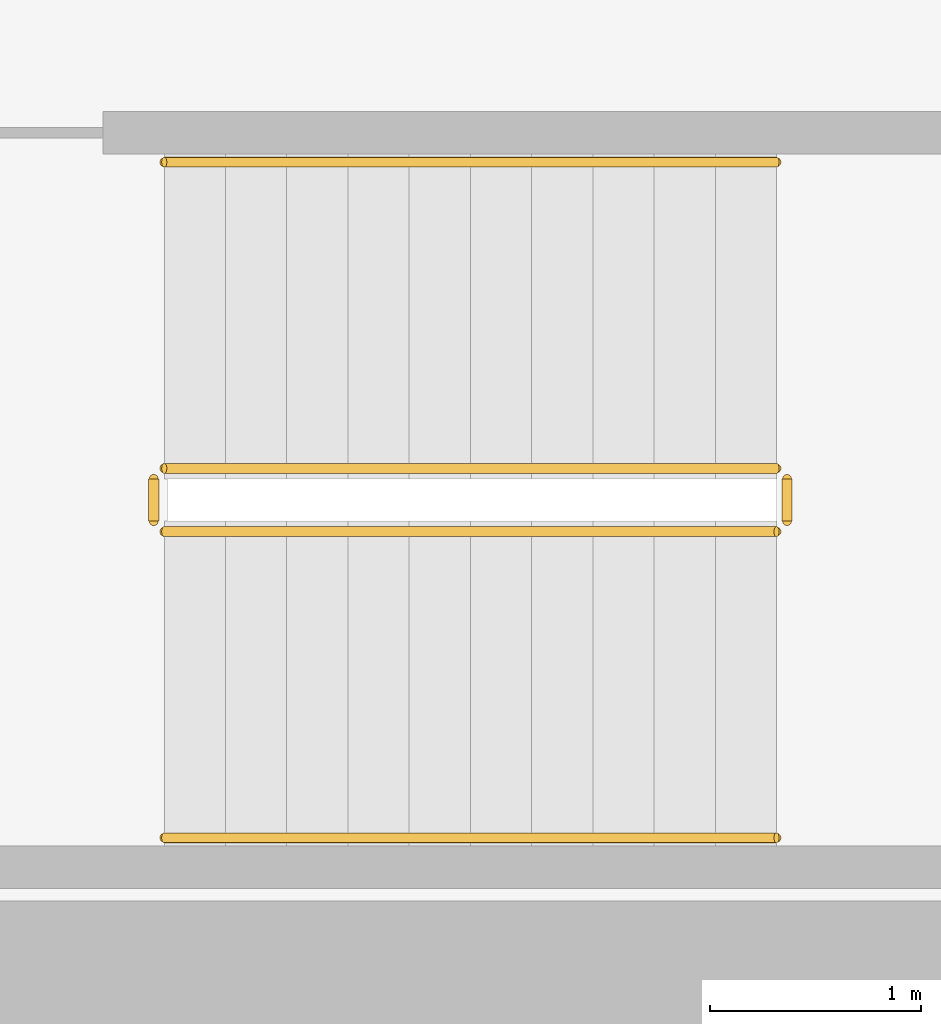
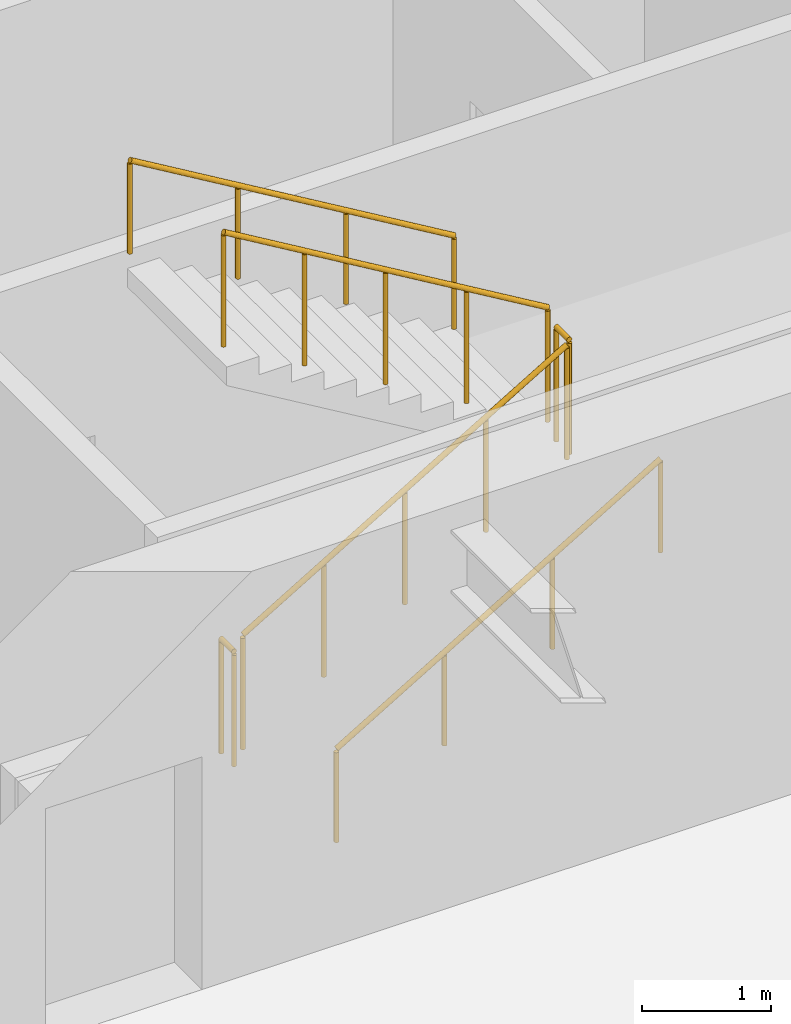
# One storey, part 19 of 20: 6 railings.
"""IFC4 building model written with IfcOpenShell, lengths in metres."""

from ifc_helpers import new_model, si_unit, direction, frame, origin, origin_2d, place, context, subcontext, project, spatial, circle, extrude, material, type_object, element, save


model = new_model("IFC4")

# Units and contexts
model_context = context("Model", 3, precision=1e-05, world=origin(), true_north=direction((0.0, 1.0)))
body_context = subcontext(model_context, "Body", "Model", "MODEL_VIEW")
ifc_project = project(units=[si_unit("LENGTHUNIT", "METRE"), si_unit("AREAUNIT", "SQUARE_METRE"), si_unit("VOLUMEUNIT", "CUBIC_METRE"), si_unit("PLANEANGLEUNIT", "RADIAN"), si_unit("MASSUNIT", "GRAM", prefix="KILO")], contexts=[model_context])

# Site, building, storey
site_placement = place(None, origin())
site = spatial("IfcSite", under=ifc_project, at=site_placement, CompositionType="ELEMENT")
building_placement = place(site_placement, origin())
building = spatial("IfcBuilding", under=site, at=building_placement, Name="Putna Gate Headquarters", CompositionType="ELEMENT")
storey_placement = place(building_placement, frame((0.0, 0.0, 120.199951171875)))
storey = spatial("IfcBuildingStorey", under=building, at=storey_placement, Name="L29", CompositionType="ELEMENT", Elevation=120.199951171875)

# Railings
ifc_material_1 = material(Name="Powder-coated steel stair guardrail", Category="steel")
railing_type_1 = type_object("IfcRailingType", Name="RAIL-STAIR-GUARD-1100", PredefinedType="GUARDRAIL", material=ifc_material_1)
railing_1_placement = place(storey_placement, frame((57.89990234375, 21.10009765625, 0.1728515625)))
element("IfcRailing", 1, at=railing_1_placement, inside=storey, type_object=railing_type_1, Name="L29 ST2 stair guard 1", PredefinedType="GUARDRAIL", context=body_context, shape_type="SweptSolid", body=[
    extrude(circle(Radius=0.02392578125, at=origin_2d()), frame((0.0, 0.0, 1.076171875), z_axis=(0.859160404282, 0.0, 0.51170636083), x_axis=(0.0, 1.0, 0.0)), (0.0, 0.0, 1.0), 3.37548828125),
    extrude(circle(Radius=0.02099609375, at=origin_2d()), origin(), (0.0, 0.0, 1.0), 1.052001953125),
    extrude(circle(Radius=0.02099609375, at=origin_2d()), frame((0.72509765625, 0.0, 0.431884765625)), (0.0, 0.0, 1.0), 1.052001953125),
    extrude(circle(Radius=0.02099609375, at=origin_2d()), frame((1.4501953125, 0.0, 0.86376953125)), (0.0, 0.0, 1.0), 1.052001953125),
    extrude(circle(Radius=0.02099609375, at=origin_2d()), frame((2.175048828125, 0.0, 1.29541015625)), (0.0, 0.0, 1.0), 1.052001953125),
    extrude(circle(Radius=0.02099609375, at=origin_2d()), frame((2.900146484375, 0.0, 1.727294921875)), (0.0, 0.0, 1.0), 1.052001953125),
])
railing_2_placement = place(storey_placement, frame((60.85009765625, 21.14990234375, 1.900146484375)))
element("IfcRailing", 2, at=railing_2_placement, inside=storey, type_object=railing_type_1, Name="L29 ST2 stair guard 2", PredefinedType="GUARDRAIL", context=body_context, shape_type="SweptSolid", body=[
    extrude(circle(Radius=0.02392578125, at=origin_2d()), frame((0.0, 0.0, 1.076171875), z_axis=(0.0, 1.0, 0.0), x_axis=(-1.0, 0.0, 0.0)), (0.0, 0.0, 1.0), 0.2001953125),
    extrude(circle(Radius=0.02099609375, at=origin_2d()), origin(), (0.0, 0.0, 1.0), 1.052001953125),
    extrude(circle(Radius=0.02099609375, at=origin_2d()), frame((0.0, 0.2001953125, 0.0)), (0.0, 0.0, 1.0), 1.052001953125),
])
railing_3_placement = place(storey_placement, frame((60.800048828125, 21.39990234375, 2.07275390625)))
element("IfcRailing", 3, at=railing_3_placement, inside=storey, type_object=railing_type_1, Name="L29 ST2 stair guard 3", PredefinedType="GUARDRAIL", context=body_context, shape_type="SweptSolid", body=[
    extrude(circle(Radius=0.02392578125, at=origin_2d()), frame((0.0, 0.0, 1.076171875), z_axis=(-0.859160404282, 0.0, 0.51170636083), x_axis=(0.0, -1.0, 0.0)), (0.0, 0.0, 1.0), 3.37548828125),
    extrude(circle(Radius=0.02099609375, at=origin_2d()), origin(), (0.0, 0.0, 1.0), 1.052001953125),
    extrude(circle(Radius=0.02099609375, at=origin_2d()), frame((-0.72509765625, 0.0, 0.431884765625)), (0.0, 0.0, 1.0), 1.052001953125),
    extrude(circle(Radius=0.02099609375, at=origin_2d()), frame((-1.4501953125, 0.0, 0.86376953125)), (0.0, 0.0, 1.0), 1.052001953125),
    extrude(circle(Radius=0.02099609375, at=origin_2d()), frame((-2.175048828125, 0.0, 1.29541015625)), (0.0, 0.0, 1.0), 1.052001953125),
    extrude(circle(Radius=0.02099609375, at=origin_2d()), frame((-2.900146484375, 0.0, 1.727294921875)), (0.0, 0.0, 1.0), 1.052001953125),
])
railing_4_placement = place(storey_placement, frame((57.85009765625, 21.14990234375, 0.0)))
element("IfcRailing", 4, at=railing_4_placement, inside=storey, type_object=railing_type_1, Name="L29 ST2 stair guard 4", PredefinedType="GUARDRAIL", context=body_context, shape_type="SweptSolid", body=[
    extrude(circle(Radius=0.02392578125, at=origin_2d()), frame((0.0, 0.0, 1.076171875), z_axis=(0.0, 1.0, 0.0), x_axis=(-1.0, 0.0, 0.0)), (0.0, 0.0, 1.0), 0.2001953125),
    extrude(circle(Radius=0.02099609375, at=origin_2d()), origin(), (0.0, 0.0, 1.0), 1.052001953125),
    extrude(circle(Radius=0.02099609375, at=origin_2d()), frame((0.0, 0.2001953125, 0.0)), (0.0, 0.0, 1.0), 1.052001953125),
])
ifc_material_2 = material(Name="Brushed stainless steel handrail", Category="steel")
railing_type_2 = type_object("IfcRailingType", Name="RAIL-STAIR-HAND-900", PredefinedType="HANDRAIL", material=ifc_material_2)
railing_5_placement = place(storey_placement, frame((57.89990234375, 19.64990234375, 0.1728515625)))
element("IfcRailing", 5, at=railing_5_placement, inside=storey, type_object=railing_type_2, Name="L29 ST2 stair handrail 1", PredefinedType="HANDRAIL", context=body_context, shape_type="SweptSolid", body=[
    extrude(circle(Radius=0.02392578125, at=origin_2d()), frame((0.0, 0.0, 0.8759765625), z_axis=(0.859160404282, 0.0, 0.51170636083), x_axis=(0.0, 1.0, 0.0)), (0.0, 0.0, 1.0), 3.37548828125),
    extrude(circle(Radius=0.02099609375, at=origin_2d()), origin(), (0.0, 0.0, 1.0), 0.851806640625),
    extrude(circle(Radius=0.02099609375, at=origin_2d()), frame((0.966796875, 0.0, 0.57568359375)), (0.0, 0.0, 1.0), 0.851806640625),
    extrude(circle(Radius=0.02099609375, at=origin_2d()), frame((1.933349609375, 0.0, 1.151611328125)), (0.0, 0.0, 1.0), 0.851806640625),
    extrude(circle(Radius=0.02099609375, at=origin_2d()), frame((2.900146484375, 0.0, 1.727294921875)), (0.0, 0.0, 1.0), 0.851806640625),
])
railing_6_placement = place(storey_placement, frame((60.800048828125, 22.85009765625, 2.07275390625)))
element("IfcRailing", 6, at=railing_6_placement, inside=storey, type_object=railing_type_2, Name="L29 ST2 stair handrail 2", PredefinedType="HANDRAIL", context=body_context, shape_type="SweptSolid", body=[
    extrude(circle(Radius=0.02392578125, at=origin_2d()), frame((0.0, 0.0, 0.8759765625), z_axis=(-0.859160404282, 0.0, 0.51170636083), x_axis=(0.0, -1.0, 0.0)), (0.0, 0.0, 1.0), 3.37548828125),
    extrude(circle(Radius=0.02099609375, at=origin_2d()), origin(), (0.0, 0.0, 1.0), 0.851806640625),
    extrude(circle(Radius=0.02099609375, at=origin_2d()), frame((-0.966796875, 0.0, 0.57568359375)), (0.0, 0.0, 1.0), 0.851806640625),
    extrude(circle(Radius=0.02099609375, at=origin_2d()), frame((-1.933349609375, 0.0, 1.151611328125)), (0.0, 0.0, 1.0), 0.851806640625),
    extrude(circle(Radius=0.02099609375, at=origin_2d()), frame((-2.900146484375, 0.0, 1.727294921875)), (0.0, 0.0, 1.0), 0.851806640625),
])

save(model, "model.ifc")
